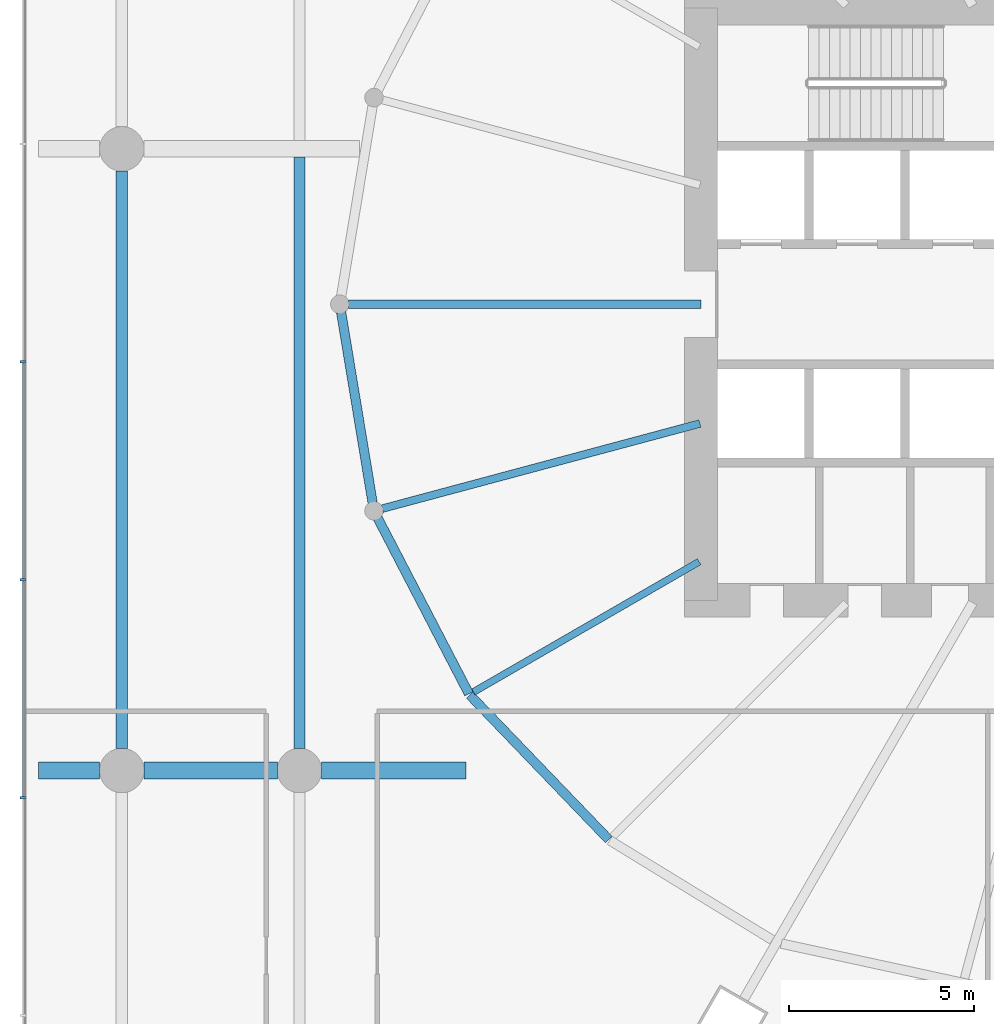
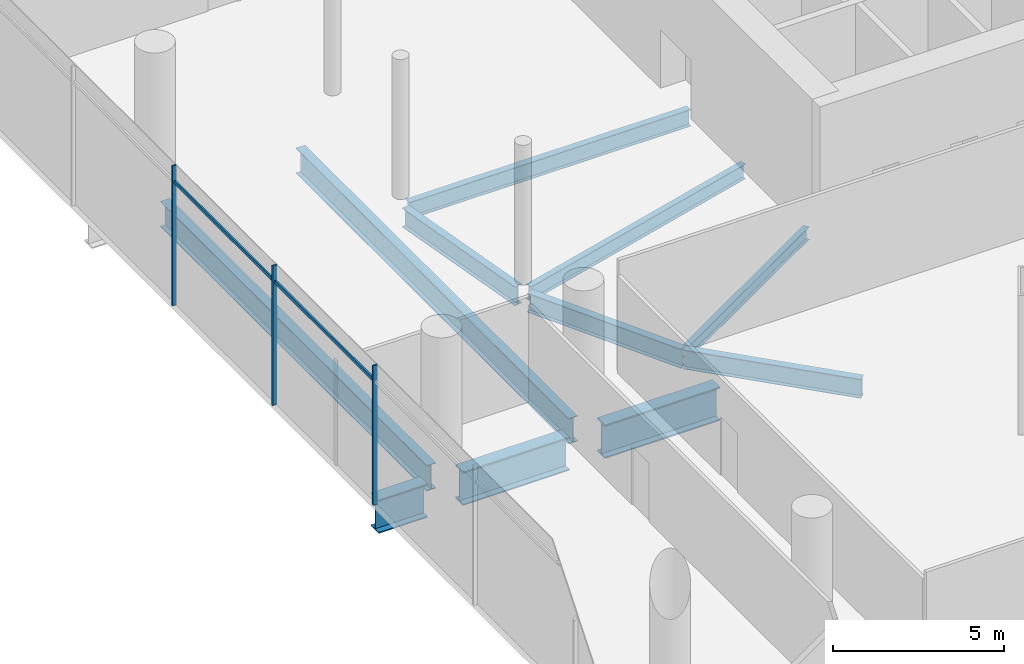
# One storey, part 9 of 51: 11 beams, 5 members, 1 element without a shape of its own.
"""IFC4 building model written with IfcOpenShell, lengths in metres."""

from ifc_helpers import new_model, si_unit, direction, frame, origin, origin_2d, place, context, subcontext, project, spatial, rectangle, i_section, extrude, material, material_profile, profile_set, type_object, element, aggregate, save


model = new_model("IFC4")

# Units and contexts
model_context = context("Model", 3, precision=1e-05, world=origin(), true_north=direction((0.0, 1.0)))
body_context = subcontext(model_context, "Body", "Model", "MODEL_VIEW")
ifc_project = project(units=[si_unit("LENGTHUNIT", "METRE"), si_unit("AREAUNIT", "SQUARE_METRE"), si_unit("VOLUMEUNIT", "CUBIC_METRE"), si_unit("PLANEANGLEUNIT", "RADIAN"), si_unit("MASSUNIT", "GRAM", prefix="KILO")], contexts=[model_context])

# Site, building, storey
site_placement = place(None, origin())
site = spatial("IfcSite", under=ifc_project, at=site_placement, CompositionType="ELEMENT")
building_placement = place(site_placement, origin())
building = spatial("IfcBuilding", under=site, at=building_placement, Name="Rimbun Link Towers", CompositionType="ELEMENT")
storey_placement = place(building_placement, frame((0.0, 0.0, 7.0)))
storey = spatial("IfcBuildingStorey", under=building, at=storey_placement, Name="L01", CompositionType="ELEMENT", Elevation=7.0)

# Curtain wall, members
ifc_material_1 = material(Name="Aluminium 6063-T6 and low-iron glass", Category="aluminium")
curtain_wall_type = type_object("IfcCurtainWallType", Name="CW3 podium shopfront", PredefinedType="NOTDEFINED", material=ifc_material_1)
curtain_wall_placement = place(storey_placement, origin())
curtain_wall = element("IfcCurtainWall", 1, at=curtain_wall_placement, inside=storey, type_object=curtain_wall_type, Name="CW3 L01 PD", PredefinedType="NOTDEFINED")
ifc_material_2 = material(Name="Aluminium 6063-T6", Category="aluminium")
ifc_material_profile_1 = material_profile(ifc_material_2, rectangle(XDim=0.14990234375, YDim=0.06005859375, at=origin_2d()), Name="MULLION 60X150")
ifc_profile_set_1 = profile_set([ifc_material_profile_1], Name="Aluminium 6063-T6")
member_type_1 = type_object("IfcMemberType", Name="CW3 mullion 60X150", PredefinedType="MULLION", material=ifc_profile_set_1)
member_1_placement = place(storey_placement, frame((-62.074951171875, -1.5556640625, 0.0), z_axis=(0.0, 0.0, 1.0), x_axis=(-1.0, 0.0, 0.0)))
member_1 = element("IfcMember", 2, at=member_1_placement, type_object=member_type_1, Name="CW3 mullion", PredefinedType="MULLION", context=body_context, shape_type="SweptSolid", body=[
    extrude(rectangle(XDim=0.14990234375, YDim=0.06005859375, at=origin_2d()), origin(), (0.0, 0.0, 1.0), 5.0),
])
member_2_placement = place(storey_placement, frame((-62.074951171875, -7.4443359375, 0.0), z_axis=(0.0, 0.0, 1.0), x_axis=(-1.0, 0.0, 0.0)))
member_2 = element("IfcMember", 3, at=member_2_placement, type_object=member_type_1, Name="CW3 mullion", PredefinedType="MULLION", context=body_context, shape_type="SweptSolid", body=[
    extrude(rectangle(XDim=0.14990234375, YDim=0.06005859375, at=origin_2d()), origin(), (0.0, 0.0, 1.0), 5.0),
])
member_3_placement = place(storey_placement, frame((-62.074951171875, -13.333251953125, 0.0), z_axis=(0.0, 0.0, 1.0), x_axis=(-1.0, 0.0, 0.0)))
member_3 = element("IfcMember", 4, at=member_3_placement, type_object=member_type_1, Name="CW3 mullion", PredefinedType="MULLION", context=body_context, shape_type="SweptSolid", body=[
    extrude(rectangle(XDim=0.14990234375, YDim=0.06005859375, at=origin_2d()), origin(), (0.0, 0.0, 1.0), 5.0),
])
ifc_material_3 = material(Name="Aluminium 6063-T6", Category="aluminium")
ifc_material_profile_2 = material_profile(ifc_material_3, rectangle(XDim=0.06005859375, YDim=0.1201171875, at=origin_2d()), Name="TRANSOM 60X120")
ifc_profile_set_2 = profile_set([ifc_material_profile_2], Name="Aluminium 6063-T6")
member_type_2 = type_object("IfcMemberType", Name="CW3 transom 60X120", PredefinedType="USERDEFINED", material=ifc_profile_set_2)
member_4_placement = place(storey_placement, frame((-62.053955078125, -7.41455078125, 4.39990234375), z_axis=(0.0, 1.0, 0.0), x_axis=(-1.0, 0.0, 0.0)))
member_4 = element("IfcMember", 5, at=member_4_placement, type_object=member_type_2, Name="CW3 transom", ObjectType="TRANSOM", PredefinedType="USERDEFINED", context=body_context, shape_type="SweptSolid", body=[
    extrude(rectangle(XDim=0.06005859375, YDim=0.1201171875, at=origin_2d()), origin(), (0.0, 0.0, 1.0), 5.8291015625),
])
member_5_placement = place(storey_placement, frame((-62.053955078125, -13.30322265625, 4.39990234375), z_axis=(0.0, 1.0, 0.0), x_axis=(-1.0, 0.0, 0.0)))
member_5 = element("IfcMember", 6, at=member_5_placement, type_object=member_type_2, Name="CW3 transom", ObjectType="TRANSOM", PredefinedType="USERDEFINED", context=body_context, shape_type="SweptSolid", body=[
    extrude(rectangle(XDim=0.06005859375, YDim=0.1201171875, at=origin_2d()), origin(), (0.0, 0.0, 1.0), 5.828857421875),
])
aggregate(curtain_wall, [member_1, member_2, member_3, member_4, member_5])

# Beams
ifc_material_4 = material(Name="Steel S355J2", Category="steel")
ifc_material_profile_3 = material_profile(ifc_material_4, i_section(OverallWidth=0.449951171875, OverallDepth=1.199951171875, WebThickness=0.030029296875, FlangeThickness=0.044921875, at=origin_2d()), Name="PG 1200x450x30/45")
ifc_profile_set_3 = profile_set([ifc_material_profile_3], Name="Steel S355J2")
beam_type_1 = type_object("IfcBeamType", Name="PG 1200x450x30/45", PredefinedType="BEAM", material=ifc_profile_set_3)
beam_1_placement = place(storey_placement, frame((-61.649169921875, -12.60009765625, -0.89990234375), z_axis=(1.0, 0.0, 0.0), x_axis=(0.0, 1.0, 0.0)))
element("IfcBeam", 7, at=beam_1_placement, inside=storey, type_object=beam_type_1, Name="Grid beam L01 -12.6", PredefinedType="BEAM", context=body_context, shape_type="SweptSolid", body=[
    extrude(i_section(OverallWidth=0.449951171875, OverallDepth=1.199951171875, WebThickness=0.030029296875, FlangeThickness=0.044921875, at=origin_2d()), origin(), (0.0, 0.0, 1.0), 1.649169921875),
])
beam_2_placement = place(storey_placement, frame((-58.800048828125, -12.60009765625, -0.89990234375), z_axis=(1.0, 0.0, 0.0), x_axis=(0.0, 1.0, 0.0)))
element("IfcBeam", 8, at=beam_2_placement, inside=storey, type_object=beam_type_1, Name="Grid beam L01 -12.6", PredefinedType="BEAM", context=body_context, shape_type="SweptSolid", body=[
    extrude(i_section(OverallWidth=0.449951171875, OverallDepth=1.199951171875, WebThickness=0.030029296875, FlangeThickness=0.044921875, at=origin_2d()), origin(), (0.0, 0.0, 1.0), 3.60009765625),
])
beam_3_placement = place(storey_placement, frame((-54.0, -12.60009765625, -0.89990234375), z_axis=(1.0, 0.0, 0.0), x_axis=(0.0, 1.0, 0.0)))
element("IfcBeam", 9, at=beam_3_placement, inside=storey, type_object=beam_type_1, Name="Grid beam L01 -12.6", PredefinedType="BEAM", context=body_context, shape_type="SweptSolid", body=[
    extrude(i_section(OverallWidth=0.449951171875, OverallDepth=1.199951171875, WebThickness=0.030029296875, FlangeThickness=0.044921875, at=origin_2d()), origin(), (0.0, 0.0, 1.0), 3.89990234375),
])
ifc_material_5 = material(Name="Steel S355J2", Category="steel")
ifc_material_profile_4 = material_profile(ifc_material_5, i_section(OverallWidth=0.18994140625, OverallDepth=0.453369140625, WebThickness=0.008544921875, FlangeThickness=0.0126953125, at=origin_2d()), Name="UB 457x191x67")
ifc_profile_set_4 = profile_set([ifc_material_profile_4], Name="Steel S355J2")
beam_type_2 = type_object("IfcBeamType", Name="UB 457x191x67", PredefinedType="BEAM", material=ifc_profile_set_4)
beam_4_placement = place(storey_placement, frame((-43.79833984375, -6.9560546875, -0.526611328125), z_axis=(-0.866023453068, -0.500003378725, 0.0), x_axis=(0.500003378725, -0.866023453068, 0.0)))
element("IfcBeam", 10, at=beam_4_placement, inside=storey, type_object=beam_type_2, Name="Radial beam T1 L01 14", PredefinedType="BEAM", context=body_context, shape_type="SweptSolid", body=[
    extrude(i_section(OverallWidth=0.18994140625, OverallDepth=0.453369140625, WebThickness=0.008544921875, FlangeThickness=0.0126953125, at=origin_2d()), origin(), (0.0, 0.0, 1.0), 7.04638671875),
])
ifc_material_6 = material(Name="Steel S355J2", Category="steel")
ifc_material_profile_5 = material_profile(ifc_material_6, i_section(OverallWidth=0.209228515625, OverallDepth=0.533203125, WebThickness=0.010009765625, FlangeThickness=0.015625, at=origin_2d()), Name="UB 533x210x92")
ifc_profile_set_5 = profile_set([ifc_material_profile_5], Name="Steel S355J2")
beam_type_3 = type_object("IfcBeamType", Name="UB 533x210x92", PredefinedType="BEAM", material=ifc_profile_set_5)
beam_5_placement = place(storey_placement, frame((-43.778076171875, -3.222900390625, -0.56640625), z_axis=(-0.965921441409, -0.258835409145, 0.0), x_axis=(0.258835409145, -0.965921441409, 0.0)))
element("IfcBeam", 11, at=beam_5_placement, inside=storey, type_object=beam_type_3, Name="Radial beam T1 L01 13", PredefinedType="BEAM", context=body_context, shape_type="SweptSolid", body=[
    extrude(i_section(OverallWidth=0.209228515625, OverallDepth=0.533203125, WebThickness=0.010009765625, FlangeThickness=0.015625, at=origin_2d()), origin(), (0.0, 0.0, 1.0), 8.88720703125),
])
ifc_material_7 = material(Name="Steel S355J2", Category="steel")
ifc_material_profile_6 = material_profile(ifc_material_7, i_section(OverallWidth=0.2275390625, OverallDepth=0.6025390625, WebThickness=0.010498046875, FlangeThickness=0.014892578125, at=origin_2d()), Name="UB 610x229x101")
ifc_profile_set_6 = profile_set([ifc_material_profile_6], Name="Steel S355J2")
beam_type_4 = type_object("IfcBeamType", Name="UB 610x229x101", PredefinedType="BEAM", material=ifc_profile_set_6)
beam_6_placement = place(storey_placement, frame((-43.7509765625, 0.0, -0.601318359375), z_axis=(-1.0, 0.0, 0.0), x_axis=(0.0, -1.0, 0.0)))
element("IfcBeam", 12, at=beam_6_placement, inside=storey, type_object=beam_type_4, Name="Radial beam T1 L01 12", PredefinedType="BEAM", context=body_context, shape_type="SweptSolid", body=[
    extrude(i_section(OverallWidth=0.2275390625, OverallDepth=0.6025390625, WebThickness=0.010498046875, FlangeThickness=0.014892578125, at=origin_2d()), origin(), (0.0, 0.0, 1.0), 9.5263671875),
])
ifc_material_8 = material(Name="Steel S355J2", Category="steel")
ifc_material_profile_7 = material_profile(ifc_material_8, i_section(OverallWidth=0.253662109375, OverallDepth=0.68359375, WebThickness=0.012451171875, FlangeThickness=0.01904296875, at=origin_2d()), Name="UB 686x254x140")
ifc_profile_set_7 = profile_set([ifc_material_profile_7], Name="Steel S355J2")
beam_type_5 = type_object("IfcBeamType", Name="UB 686x254x140", PredefinedType="BEAM", material=ifc_profile_set_7)
beam_7_placement = place(storey_placement, frame((-53.473388671875, -0.217529296875, -0.641845703125), z_axis=(0.163063422521, -0.986615588887, 0.0), x_axis=(0.986615588887, 0.163063422521, 0.0)))
element("IfcBeam", 13, at=beam_7_placement, inside=storey, type_object=beam_type_5, Name="Edge beam T1 L01 12", PredefinedType="BEAM", context=body_context, shape_type="SweptSolid", body=[
    extrude(i_section(OverallWidth=0.253662109375, OverallDepth=0.68359375, WebThickness=0.012451171875, FlangeThickness=0.01904296875, at=origin_2d()), origin(), (0.0, 0.0, 1.0), 5.2177734375),
])
beam_8_placement = place(storey_placement, frame((-52.485107421875, -5.77880859375, -0.641845703125), z_axis=(0.460708800711, -0.887551351161, 0.0), x_axis=(0.887551351161, 0.460708800711, 0.0)))
element("IfcBeam", 14, at=beam_8_placement, inside=storey, type_object=beam_type_5, Name="Edge beam T1 L01 13", PredefinedType="BEAM", context=body_context, shape_type="SweptSolid", body=[
    extrude(i_section(OverallWidth=0.253662109375, OverallDepth=0.68359375, WebThickness=0.012451171875, FlangeThickness=0.01904296875, at=origin_2d()), origin(), (0.0, 0.0, 1.0), 5.34912109375),
])
beam_9_placement = place(storey_placement, frame((-49.99853515625, -10.557373046875, -0.641845703125), z_axis=(0.692988130851, -0.720948992995, 0.0), x_axis=(0.720948992995, 0.692988130851, 0.0)))
element("IfcBeam", 15, at=beam_9_placement, inside=storey, type_object=beam_type_5, Name="Edge beam T1 L01 14", PredefinedType="BEAM", context=body_context, shape_type="SweptSolid", body=[
    extrude(i_section(OverallWidth=0.253662109375, OverallDepth=0.68359375, WebThickness=0.012451171875, FlangeThickness=0.01904296875, at=origin_2d()), origin(), (0.0, 0.0, 1.0), 5.42236328125),
])
ifc_material_9 = material(Name="Steel S355J2", Category="steel")
ifc_material_profile_8 = material_profile(ifc_material_9, i_section(OverallWidth=0.305419921875, OverallDepth=0.91845703125, WebThickness=0.017333984375, FlangeThickness=0.02783203125, at=origin_2d()), Name="UB 914x305x253")
ifc_profile_set_8 = profile_set([ifc_material_profile_8], Name="Steel S355J2")
beam_type_6 = type_object("IfcBeamType", Name="UB 914x305x253", PredefinedType="BEAM", material=ifc_profile_set_8)
beam_10_placement = place(storey_placement, frame((-59.39990234375, -12.0, -0.75927734375), z_axis=(0.0, 1.0, 0.0), x_axis=(-1.0, 0.0, 0.0)))
element("IfcBeam", 16, at=beam_10_placement, inside=storey, type_object=beam_type_6, Name="Grid beam L01 -59.4", PredefinedType="BEAM", context=body_context, shape_type="SweptSolid", body=[
    extrude(i_section(OverallWidth=0.305419921875, OverallDepth=0.91845703125, WebThickness=0.017333984375, FlangeThickness=0.02783203125, at=origin_2d()), origin(), (0.0, 0.0, 1.0), 15.60009765625),
])
beam_11_placement = place(storey_placement, frame((-54.60009765625, -12.0, -0.75927734375), z_axis=(0.0, 1.0, 0.0), x_axis=(-1.0, 0.0, 0.0)))
element("IfcBeam", 17, at=beam_11_placement, inside=storey, type_object=beam_type_6, Name="Grid beam L01 -54.6", PredefinedType="BEAM", context=body_context, shape_type="SweptSolid", body=[
    extrude(i_section(OverallWidth=0.305419921875, OverallDepth=0.91845703125, WebThickness=0.017333984375, FlangeThickness=0.02783203125, at=origin_2d()), origin(), (0.0, 0.0, 1.0), 15.97509765625),
])

save(model, "model.ifc")
